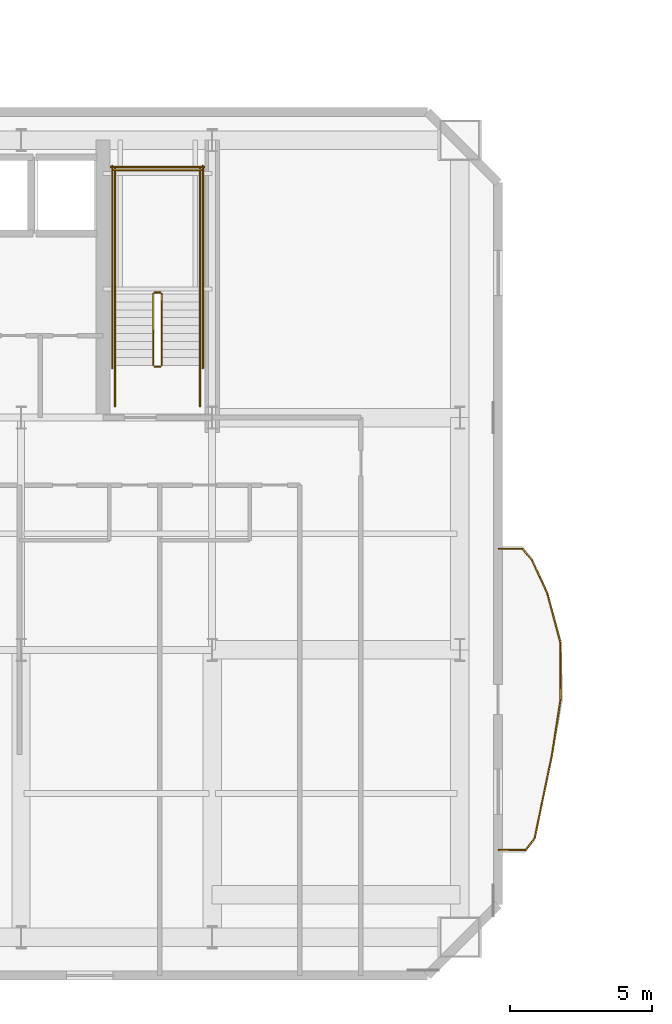
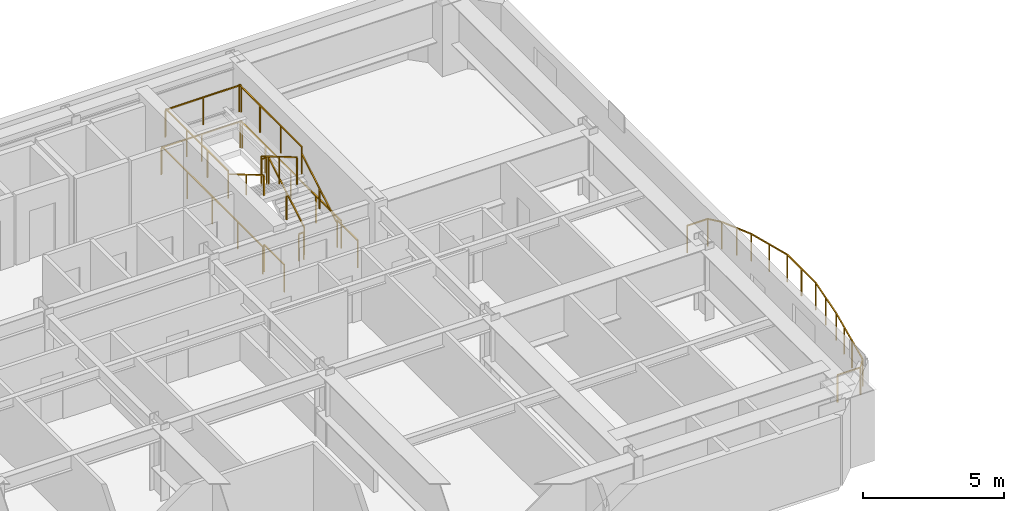
# One storey, part 13 of 15: 24 railings.
"""IFC4 building model written with IfcOpenShell, lengths in metres."""

from ifc_helpers import new_model, si_unit, direction, frame, origin, origin_2d, place, context, subcontext, project, spatial, rectangle, extrude, material, type_object, element, save


model = new_model("IFC4")

# Units and contexts
model_context = context("Model", 3, precision=1e-05, world=origin(), true_north=direction((0.0, 1.0)))
body_context = subcontext(model_context, "Body", "Model", "MODEL_VIEW")
ifc_project = project(units=[si_unit("LENGTHUNIT", "METRE"), si_unit("AREAUNIT", "SQUARE_METRE"), si_unit("VOLUMEUNIT", "CUBIC_METRE"), si_unit("PLANEANGLEUNIT", "RADIAN"), si_unit("MASSUNIT", "GRAM", prefix="KILO")], contexts=[model_context])

# Site, building, storey
site_placement = place(None, origin())
site = spatial("IfcSite", under=ifc_project, at=site_placement, CompositionType="ELEMENT")
building_placement = place(site_placement, origin())
building = spatial("IfcBuilding", under=site, at=building_placement, Name="Haevon Station Towers", CompositionType="ELEMENT")
storey_placement = place(building_placement, frame((0.0, 0.0, 109.800048828125)))
storey = spatial("IfcBuildingStorey", under=building, at=storey_placement, Name="L29", CompositionType="ELEMENT", Elevation=109.800048828125)

# Railings
ifc_material = material(Name="Steel S355", Category="steel")
railing_type_1 = type_object("IfcRailingType", Name="GRD-EXT1200", PredefinedType="GUARDRAIL", material=ifc_material)
railing_1_placement = place(storey_placement, frame((61.123291015625, 22.927978515625, 0.0)))
element("IfcRailing", 1, at=railing_1_placement, inside=storey, type_object=railing_type_1, Name="L29 Perimeter Guardrail 1", PredefinedType="GUARDRAIL", context=body_context, shape_type="SweptSolid", body=[
    extrude(rectangle(XDim=0.048095703125, YDim=0.048095703125, at=origin_2d()), frame((0.0, 0.0, 1.17578125), z_axis=(0.999997857851, 0.002069853263, 0.0), x_axis=(-0.002069853263, 0.999997857851, 0.0)), (0.0, 0.0, 1.0), 0.943603515625),
    extrude(rectangle(XDim=0.0419921875, YDim=0.0419921875, at=origin_2d()), origin(), (0.0, 0.0, 1.0), 1.15185546875),
    extrude(rectangle(XDim=0.0419921875, YDim=0.0419921875, at=origin_2d()), frame((0.943603515625, 0.001953125, 0.0)), (0.0, 0.0, 1.0), 1.15185546875),
])
railing_2_placement = place(storey_placement, frame((62.06689453125, 22.929931640625, 0.0)))
element("IfcRailing", 2, at=railing_2_placement, inside=storey, type_object=railing_type_1, Name="L29 Perimeter Guardrail 2", PredefinedType="GUARDRAIL", context=body_context, shape_type="SweptSolid", body=[
    extrude(rectangle(XDim=0.048095703125, YDim=0.048095703125, at=origin_2d()), frame((0.0, 0.0, 1.17578125), z_axis=(0.618645401959, 0.785670329486, 0.0), x_axis=(-0.785670329486, 0.618645401959, 0.0)), (0.0, 0.0, 1.0), 0.523193359375),
    extrude(rectangle(XDim=0.0419921875, YDim=0.0419921875, at=origin_2d()), origin(), (0.0, 0.0, 1.0), 1.15185546875),
    extrude(rectangle(XDim=0.0419921875, YDim=0.0419921875, at=origin_2d()), frame((0.32373046875, 0.4111328125, 0.0)), (0.0, 0.0, 1.0), 1.15185546875),
])
railing_3_placement = place(storey_placement, frame((62.390625, 23.341064453125, 0.0)))
element("IfcRailing", 3, at=railing_3_placement, inside=storey, type_object=railing_type_1, Name="L29 Perimeter Guardrail 3", PredefinedType="GUARDRAIL", context=body_context, shape_type="SweptSolid", body=[
    extrude(rectangle(XDim=0.048095703125, YDim=0.048095703125, at=origin_2d()), frame((0.0, 0.0, 1.17578125), z_axis=(0.202044874071, 0.979376265213, 0.0), x_axis=(-0.979376265213, 0.202044874071, 0.0)), (0.0, 0.0, 1.0), 1.195068359375),
    extrude(rectangle(XDim=0.0419921875, YDim=0.0419921875, at=origin_2d()), origin(), (0.0, 0.0, 1.0), 1.15185546875),
    extrude(rectangle(XDim=0.0419921875, YDim=0.0419921875, at=origin_2d()), frame((0.241455078125, 1.17041015625, 0.0)), (0.0, 0.0, 1.0), 1.15185546875),
])
railing_4_placement = place(storey_placement, frame((62.632080078125, 24.511474609375, 0.0)))
element("IfcRailing", 4, at=railing_4_placement, inside=storey, type_object=railing_type_1, Name="L29 Perimeter Guardrail 4", PredefinedType="GUARDRAIL", context=body_context, shape_type="SweptSolid", body=[
    extrude(rectangle(XDim=0.048095703125, YDim=0.048095703125, at=origin_2d()), frame((0.0, 0.0, 1.17578125), z_axis=(0.203550270134, 0.979064496103, 0.0), x_axis=(-0.979064496103, 0.203550270134, 0.0)), (0.0, 0.0, 1.0), 1.785888671875),
    extrude(rectangle(XDim=0.0419921875, YDim=0.0419921875, at=origin_2d()), origin(), (0.0, 0.0, 1.0), 1.15185546875),
    extrude(rectangle(XDim=0.0419921875, YDim=0.0419921875, at=origin_2d()), frame((0.181640625, 0.874267578125, 0.0)), (0.0, 0.0, 1.0), 1.15185546875),
    extrude(rectangle(XDim=0.0419921875, YDim=0.0419921875, at=origin_2d()), frame((0.363525390625, 1.74853515625, 0.0)), (0.0, 0.0, 1.0), 1.15185546875),
])
railing_5_placement = place(storey_placement, frame((62.99560546875, 26.260009765625, 0.0)))
element("IfcRailing", 5, at=railing_5_placement, inside=storey, type_object=railing_type_1, Name="L29 Perimeter Guardrail 5", PredefinedType="GUARDRAIL", context=body_context, shape_type="SweptSolid", body=[
    extrude(rectangle(XDim=0.048095703125, YDim=0.048095703125, at=origin_2d()), frame((0.0, 0.0, 1.17578125), z_axis=(0.153359781656, 0.988170419194, 0.0), x_axis=(-0.988170419194, 0.153359781656, 0.0)), (0.0, 0.0, 1.0), 2.013916015625),
    extrude(rectangle(XDim=0.0419921875, YDim=0.0419921875, at=origin_2d()), origin(), (0.0, 0.0, 1.0), 1.15185546875),
    extrude(rectangle(XDim=0.0419921875, YDim=0.0419921875, at=origin_2d()), frame((0.154296875, 0.9951171875, 0.0)), (0.0, 0.0, 1.0), 1.15185546875),
    extrude(rectangle(XDim=0.0419921875, YDim=0.0419921875, at=origin_2d()), frame((0.308837890625, 1.989990234375, 0.0)), (0.0, 0.0, 1.0), 1.15185546875),
])
railing_6_placement = place(storey_placement, frame((63.304443359375, 28.25, 0.0)))
element("IfcRailing", 6, at=railing_6_placement, inside=storey, type_object=railing_type_1, Name="L29 Perimeter Guardrail 6", PredefinedType="GUARDRAIL", context=body_context, shape_type="SweptSolid", body=[
    extrude(rectangle(XDim=0.048095703125, YDim=0.048095703125, at=origin_2d()), frame((0.0, 0.0, 1.17578125), z_axis=(-0.000857107558, 0.999999632683, 0.0), x_axis=(-0.999999632683, -0.000857107558, 0.0)), (0.0, 0.0, 1.0), 1.993896484375),
    extrude(rectangle(XDim=0.0419921875, YDim=0.0419921875, at=origin_2d()), origin(), (0.0, 0.0, 1.0), 1.15185546875),
    extrude(rectangle(XDim=0.0419921875, YDim=0.0419921875, at=origin_2d()), frame((-0.0009765625, 0.9970703125, 0.0)), (0.0, 0.0, 1.0), 1.15185546875),
    extrude(rectangle(XDim=0.0419921875, YDim=0.0419921875, at=origin_2d()), frame((-0.001708984375, 1.993896484375, 0.0)), (0.0, 0.0, 1.0), 1.15185546875),
])
railing_7_placement = place(storey_placement, frame((63.302734375, 30.243896484375, 0.0)))
element("IfcRailing", 7, at=railing_7_placement, inside=storey, type_object=railing_type_1, Name="L29 Perimeter Guardrail 7", PredefinedType="GUARDRAIL", context=body_context, shape_type="SweptSolid", body=[
    extrude(rectangle(XDim=0.048095703125, YDim=0.048095703125, at=origin_2d()), frame((0.0, 0.0, 1.17578125), z_axis=(-0.257140906123, 0.966373920591, 0.0), x_axis=(-0.966373920591, -0.257140906123, 0.0)), (0.0, 0.0, 1.0), 1.805908203125),
    extrude(rectangle(XDim=0.0419921875, YDim=0.0419921875, at=origin_2d()), origin(), (0.0, 0.0, 1.0), 1.15185546875),
    extrude(rectangle(XDim=0.0419921875, YDim=0.0419921875, at=origin_2d()), frame((-0.232177734375, 0.87255859375, 0.0)), (0.0, 0.0, 1.0), 1.15185546875),
    extrude(rectangle(XDim=0.0419921875, YDim=0.0419921875, at=origin_2d()), frame((-0.46435546875, 1.7451171875, 0.0)), (0.0, 0.0, 1.0), 1.15185546875),
])
railing_8_placement = place(storey_placement, frame((62.83837890625, 31.989013671875, 0.0)))
element("IfcRailing", 8, at=railing_8_placement, inside=storey, type_object=railing_type_1, Name="L29 Perimeter Guardrail 8", PredefinedType="GUARDRAIL", context=body_context, shape_type="SweptSolid", body=[
    extrude(rectangle(XDim=0.048095703125, YDim=0.048095703125, at=origin_2d()), frame((0.0, 0.0, 1.17578125), z_axis=(-0.415661077418, 0.909519581273, 0.0), x_axis=(-0.909519581273, -0.415661077418, 0.0)), (0.0, 0.0, 1.0), 1.286376953125),
    extrude(rectangle(XDim=0.0419921875, YDim=0.0419921875, at=origin_2d()), origin(), (0.0, 0.0, 1.0), 1.15185546875),
    extrude(rectangle(XDim=0.0419921875, YDim=0.0419921875, at=origin_2d()), frame((-0.267333984375, 0.5849609375, 0.0)), (0.0, 0.0, 1.0), 1.15185546875),
    extrude(rectangle(XDim=0.0419921875, YDim=0.0419921875, at=origin_2d()), frame((-0.53466796875, 1.169921875, 0.0)), (0.0, 0.0, 1.0), 1.15185546875),
])
railing_9_placement = place(storey_placement, frame((62.3037109375, 33.158935546875, 0.0)))
element("IfcRailing", 9, at=railing_9_placement, inside=storey, type_object=railing_type_1, Name="L29 Perimeter Guardrail 9", PredefinedType="GUARDRAIL", context=body_context, shape_type="SweptSolid", body=[
    extrude(rectangle(XDim=0.048095703125, YDim=0.048095703125, at=origin_2d()), frame((0.0, 0.0, 1.17578125), z_axis=(-0.639870328751, 0.768482896611, 0.0), x_axis=(-0.768482896611, -0.639870328751, 0.0)), (0.0, 0.0, 1.0), 0.535400390625),
    extrude(rectangle(XDim=0.0419921875, YDim=0.0419921875, at=origin_2d()), origin(), (0.0, 0.0, 1.0), 1.15185546875),
    extrude(rectangle(XDim=0.0419921875, YDim=0.0419921875, at=origin_2d()), frame((-0.342529296875, 0.411376953125, 0.0)), (0.0, 0.0, 1.0), 1.15185546875),
])
railing_10_placement = place(storey_placement, frame((61.961181640625, 33.5703125, 0.0)))
element("IfcRailing", 10, at=railing_10_placement, inside=storey, type_object=railing_type_1, Name="L29 Perimeter Guardrail 10", PredefinedType="GUARDRAIL", context=body_context, shape_type="SweptSolid", body=[
    extrude(rectangle(XDim=0.048095703125, YDim=0.048095703125, at=origin_2d()), frame((0.0, 0.0, 1.17578125), z_axis=(-0.999997919967, 0.002039622797, 0.0), x_axis=(-0.002039622797, -0.999997919967, 0.0)), (0.0, 0.0, 1.0), 0.837890625),
    extrude(rectangle(XDim=0.0419921875, YDim=0.0419921875, at=origin_2d()), origin(), (0.0, 0.0, 1.0), 1.15185546875),
    extrude(rectangle(XDim=0.0419921875, YDim=0.0419921875, at=origin_2d()), frame((-0.837890625, 0.001708984375, 0.0)), (0.0, 0.0, 1.0), 1.15185546875),
])
railing_type_2 = type_object("IfcRailingType", Name="GRD-STR1200", PredefinedType="GUARDRAIL", material=ifc_material)
railing_11_placement = place(storey_placement, frame((49.219970703125, 40.050048828125, 0.1650390625)))
element("IfcRailing", 11, at=railing_11_placement, inside=storey, type_object=railing_type_2, Name="L29 ST2 Stair Guard 1", PredefinedType="GUARDRAIL", context=body_context, shape_type="SweptSolid", body=[
    extrude(rectangle(XDim=0.048095703125, YDim=0.048095703125, at=origin_2d()), frame((0.0, 0.0, 1.17578125), z_axis=(0.0, 0.861560626758, 0.507654692109), x_axis=(-1.0, 0.0, 0.0)), (0.0, 0.0, 1.0), 2.925048828125),
    extrude(rectangle(XDim=0.0419921875, YDim=0.0419921875, at=origin_2d()), origin(), (0.0, 0.0, 1.0), 1.15185546875),
    extrude(rectangle(XDim=0.0419921875, YDim=0.0419921875, at=origin_2d()), frame((0.0, 1.260009765625, 0.742431640625)), (0.0, 0.0, 1.0), 1.15185546875),
    extrude(rectangle(XDim=0.0419921875, YDim=0.0419921875, at=origin_2d()), frame((0.0, 2.52001953125, 1.48486328125)), (0.0, 0.0, 1.0), 1.15185546875),
])
railing_12_placement = place(storey_placement, frame((49.169921875, 42.6201171875, 1.64990234375)))
element("IfcRailing", 12, at=railing_12_placement, inside=storey, type_object=railing_type_2, Name="L29 ST2 Stair Guard 2", PredefinedType="GUARDRAIL", context=body_context, shape_type="SweptSolid", body=[
    extrude(rectangle(XDim=0.048095703125, YDim=0.048095703125, at=origin_2d()), frame((0.0, 0.0, 1.17578125), z_axis=(-1.0, 0.0, 0.0), x_axis=(0.0, -1.0, 0.0)), (0.0, 0.0, 1.0), 0.199951171875),
    extrude(rectangle(XDim=0.0419921875, YDim=0.0419921875, at=origin_2d()), origin(), (0.0, 0.0, 1.0), 1.15185546875),
    extrude(rectangle(XDim=0.0419921875, YDim=0.0419921875, at=origin_2d()), frame((-0.199951171875, 0.0, 0.0)), (0.0, 0.0, 1.0), 1.15185546875),
])
for number, where, name in (
    (13, (50.570068359375, 42.570068359375, 1.64990234375), "L29 ST2 Stair Guard 3"),
    (14, (47.570068359375, 42.570068359375, 1.64990234375), "L29 ST2 Stair Guard 4"),
):
    element("IfcRailing", number, at=place(storey_placement, frame(where)), inside=storey, type_object=railing_type_2, Name=name, PredefinedType="GUARDRAIL", context=body_context, shape_type="SweptSolid", body=[
        extrude(rectangle(XDim=0.048095703125, YDim=0.048095703125, at=origin_2d()), frame((0.0, 0.0, 1.17578125), z_axis=(0.0, 1.0, 0.0), x_axis=(-1.0, 0.0, 0.0)), (0.0, 0.0, 1.0), 4.429931640625),
        extrude(rectangle(XDim=0.0419921875, YDim=0.0419921875, at=origin_2d()), origin(), (0.0, 0.0, 1.0), 1.15185546875),
        extrude(rectangle(XDim=0.0419921875, YDim=0.0419921875, at=origin_2d()), frame((0.0, 1.4765625, 0.0)), (0.0, 0.0, 1.0), 1.15185546875),
        extrude(rectangle(XDim=0.0419921875, YDim=0.0419921875, at=origin_2d()), frame((0.0, 2.953369140625, 0.0)), (0.0, 0.0, 1.0), 1.15185546875),
        extrude(rectangle(XDim=0.0419921875, YDim=0.0419921875, at=origin_2d()), frame((0.0, 4.429931640625, 0.0)), (0.0, 0.0, 1.0), 1.15185546875),
    ])
railing_13_placement = place(storey_placement, frame((50.6201171875, 46.949951171875, 1.64990234375)))
element("IfcRailing", 15, at=railing_13_placement, inside=storey, type_object=railing_type_2, Name="L29 ST2 Stair Guard 5", PredefinedType="GUARDRAIL", context=body_context, shape_type="SweptSolid", body=[
    extrude(rectangle(XDim=0.048095703125, YDim=0.048095703125, at=origin_2d()), frame((0.0, 0.0, 1.17578125), z_axis=(-1.0, 0.0, 0.0), x_axis=(0.0, -1.0, 0.0)), (0.0, 0.0, 1.0), 3.10009765625),
    extrude(rectangle(XDim=0.0419921875, YDim=0.0419921875, at=origin_2d()), origin(), (0.0, 0.0, 1.0), 1.15185546875),
    extrude(rectangle(XDim=0.0419921875, YDim=0.0419921875, at=origin_2d()), frame((-1.550048828125, 0.0, 0.0)), (0.0, 0.0, 1.0), 1.15185546875),
    extrude(rectangle(XDim=0.0419921875, YDim=0.0419921875, at=origin_2d()), frame((-3.10009765625, 0.0, 0.0)), (0.0, 0.0, 1.0), 1.15185546875),
])
railing_14_placement = place(storey_placement, frame((48.919921875, 42.570068359375, 1.81494140625)))
element("IfcRailing", 16, at=railing_14_placement, inside=storey, type_object=railing_type_2, Name="L29 ST2 Stair Guard 6", PredefinedType="GUARDRAIL", context=body_context, shape_type="SweptSolid", body=[
    extrude(rectangle(XDim=0.048095703125, YDim=0.048095703125, at=origin_2d()), frame((0.0, 0.0, 1.17578125), z_axis=(0.0, -0.86152411907, 0.507716645641), x_axis=(1.0, 0.0, 0.0)), (0.0, 0.0, 1.0), 2.925048828125),
    extrude(rectangle(XDim=0.0419921875, YDim=0.0419921875, at=origin_2d()), origin(), (0.0, 0.0, 1.0), 1.15185546875),
    extrude(rectangle(XDim=0.0419921875, YDim=0.0419921875, at=origin_2d()), frame((0.0, -1.260009765625, 0.74267578125)), (0.0, 0.0, 1.0), 1.15185546875),
    extrude(rectangle(XDim=0.0419921875, YDim=0.0419921875, at=origin_2d()), frame((0.0, -2.52001953125, 1.485107421875)), (0.0, 0.0, 1.0), 1.15185546875),
])
railing_15_placement = place(storey_placement, frame((49.169921875, 40.0, 0.0)))
element("IfcRailing", 17, at=railing_15_placement, inside=storey, type_object=railing_type_2, Name="L29 ST2 Stair Guard 7", PredefinedType="GUARDRAIL", context=body_context, shape_type="SweptSolid", body=[
    extrude(rectangle(XDim=0.048095703125, YDim=0.048095703125, at=origin_2d()), frame((0.0, 0.0, 1.17578125), z_axis=(-1.0, 0.0, 0.0), x_axis=(0.0, -1.0, 0.0)), (0.0, 0.0, 1.0), 0.199951171875),
    extrude(rectangle(XDim=0.0419921875, YDim=0.0419921875, at=origin_2d()), origin(), (0.0, 0.0, 1.0), 1.15185546875),
    extrude(rectangle(XDim=0.0419921875, YDim=0.0419921875, at=origin_2d()), frame((-0.199951171875, 0.0, 0.0)), (0.0, 0.0, 1.0), 1.15185546875),
])
for number, where, name in (
    (18, (50.570068359375, 38.60009765625, 0.0), "L29 ST2 Stair Guard 8"),
    (19, (47.570068359375, 38.60009765625, 0.0), "L29 ST2 Stair Guard 9"),
):
    element("IfcRailing", number, at=place(storey_placement, frame(where)), inside=storey, type_object=railing_type_2, Name=name, PredefinedType="GUARDRAIL", context=body_context, shape_type="SweptSolid", body=[
        extrude(rectangle(XDim=0.048095703125, YDim=0.048095703125, at=origin_2d()), frame((0.0, 0.0, 1.17578125), z_axis=(0.0, 1.0, 0.0), x_axis=(-1.0, 0.0, 0.0)), (0.0, 0.0, 1.0), 1.449951171875),
        extrude(rectangle(XDim=0.0419921875, YDim=0.0419921875, at=origin_2d()), origin(), (0.0, 0.0, 1.0), 1.15185546875),
        extrude(rectangle(XDim=0.0419921875, YDim=0.0419921875, at=origin_2d()), frame((0.0, 1.449951171875, 0.0)), (0.0, 0.0, 1.0), 1.15185546875),
    ])
for number, where, name in (
    (20, (50.669921875, 39.949951171875, 0.0), "L29 ST2 Stair Guard 10"),
    (21, (47.469970703125, 39.949951171875, 0.0), "L29 ST2 Stair Guard 11"),
):
    element("IfcRailing", number, at=place(storey_placement, frame(where)), inside=storey, type_object=railing_type_2, Name=name, PredefinedType="GUARDRAIL", context=body_context, shape_type="SweptSolid", body=[
        extrude(rectangle(XDim=0.048095703125, YDim=0.048095703125, at=origin_2d()), frame((0.0, 0.0, 1.17578125), z_axis=(0.0, 1.0, 0.0), x_axis=(-1.0, 0.0, 0.0)), (0.0, 0.0, 1.0), 7.150146484375),
        extrude(rectangle(XDim=0.0419921875, YDim=0.0419921875, at=origin_2d()), origin(), (0.0, 0.0, 1.0), 1.15185546875),
        extrude(rectangle(XDim=0.0419921875, YDim=0.0419921875, at=origin_2d()), frame((0.0, 1.78759765625, 0.0)), (0.0, 0.0, 1.0), 1.15185546875),
        extrude(rectangle(XDim=0.0419921875, YDim=0.0419921875, at=origin_2d()), frame((0.0, 3.5751953125, 0.0)), (0.0, 0.0, 1.0), 1.15185546875),
        extrude(rectangle(XDim=0.0419921875, YDim=0.0419921875, at=origin_2d()), frame((0.0, 5.362548828125, 0.0)), (0.0, 0.0, 1.0), 1.15185546875),
        extrude(rectangle(XDim=0.0419921875, YDim=0.0419921875, at=origin_2d()), frame((0.0, 7.150146484375, 0.0)), (0.0, 0.0, 1.0), 1.15185546875),
    ])
railing_16_placement = place(storey_placement, frame((50.719970703125, 47.050048828125, 0.0)))
element("IfcRailing", 22, at=railing_16_placement, inside=storey, type_object=railing_type_2, Name="L29 ST2 Stair Guard 12", PredefinedType="GUARDRAIL", context=body_context, shape_type="SweptSolid", body=[
    extrude(rectangle(XDim=0.048095703125, YDim=0.048095703125, at=origin_2d()), frame((0.0, 0.0, 1.17578125), z_axis=(-1.0, 0.0, 0.0), x_axis=(0.0, -1.0, 0.0)), (0.0, 0.0, 1.0), 3.300048828125),
    extrude(rectangle(XDim=0.0419921875, YDim=0.0419921875, at=origin_2d()), origin(), (0.0, 0.0, 1.0), 1.15185546875),
    extrude(rectangle(XDim=0.0419921875, YDim=0.0419921875, at=origin_2d()), frame((-1.64990234375, 0.0, 0.0)), (0.0, 0.0, 1.0), 1.15185546875),
    extrude(rectangle(XDim=0.0419921875, YDim=0.0419921875, at=origin_2d()), frame((-3.300048828125, 0.0, 0.0)), (0.0, 0.0, 1.0), 1.15185546875),
])
railing_type_3 = type_object("IfcRailingType", Name="HND-STR900", PredefinedType="HANDRAIL", material=ifc_material)
railing_17_placement = place(storey_placement, frame((50.570068359375, 40.050048828125, 0.1650390625)))
element("IfcRailing", 23, at=railing_17_placement, inside=storey, type_object=railing_type_3, Name="L29 ST2 Stair Handrail 1", PredefinedType="HANDRAIL", context=body_context, shape_type="SweptSolid", body=[
    extrude(rectangle(XDim=0.048095703125, YDim=0.048095703125, at=origin_2d()), frame((0.0, 0.0, 0.8759765625), z_axis=(0.0, 0.861560626758, 0.507654692109), x_axis=(-1.0, 0.0, 0.0)), (0.0, 0.0, 1.0), 2.925048828125),
    extrude(rectangle(XDim=0.0419921875, YDim=0.0419921875, at=origin_2d()), origin(), (0.0, 0.0, 1.0), 0.851806640625),
    extrude(rectangle(XDim=0.0419921875, YDim=0.0419921875, at=origin_2d()), frame((0.0, 1.260009765625, 0.742431640625)), (0.0, 0.0, 1.0), 0.851806640625),
    extrude(rectangle(XDim=0.0419921875, YDim=0.0419921875, at=origin_2d()), frame((0.0, 2.52001953125, 1.48486328125)), (0.0, 0.0, 1.0), 0.851806640625),
])
railing_18_placement = place(storey_placement, frame((47.570068359375, 42.570068359375, 1.81494140625)))
element("IfcRailing", 24, at=railing_18_placement, inside=storey, type_object=railing_type_3, Name="L29 ST2 Stair Handrail 2", PredefinedType="HANDRAIL", context=body_context, shape_type="SweptSolid", body=[
    extrude(rectangle(XDim=0.048095703125, YDim=0.048095703125, at=origin_2d()), frame((0.0, 0.0, 0.8759765625), z_axis=(0.0, -0.86152411907, 0.507716645641), x_axis=(1.0, 0.0, 0.0)), (0.0, 0.0, 1.0), 2.925048828125),
    extrude(rectangle(XDim=0.0419921875, YDim=0.0419921875, at=origin_2d()), origin(), (0.0, 0.0, 1.0), 0.851806640625),
    extrude(rectangle(XDim=0.0419921875, YDim=0.0419921875, at=origin_2d()), frame((0.0, -1.260009765625, 0.74267578125)), (0.0, 0.0, 1.0), 0.851806640625),
    extrude(rectangle(XDim=0.0419921875, YDim=0.0419921875, at=origin_2d()), frame((0.0, -2.52001953125, 1.485107421875)), (0.0, 0.0, 1.0), 0.851806640625),
])

save(model, "model.ifc")
